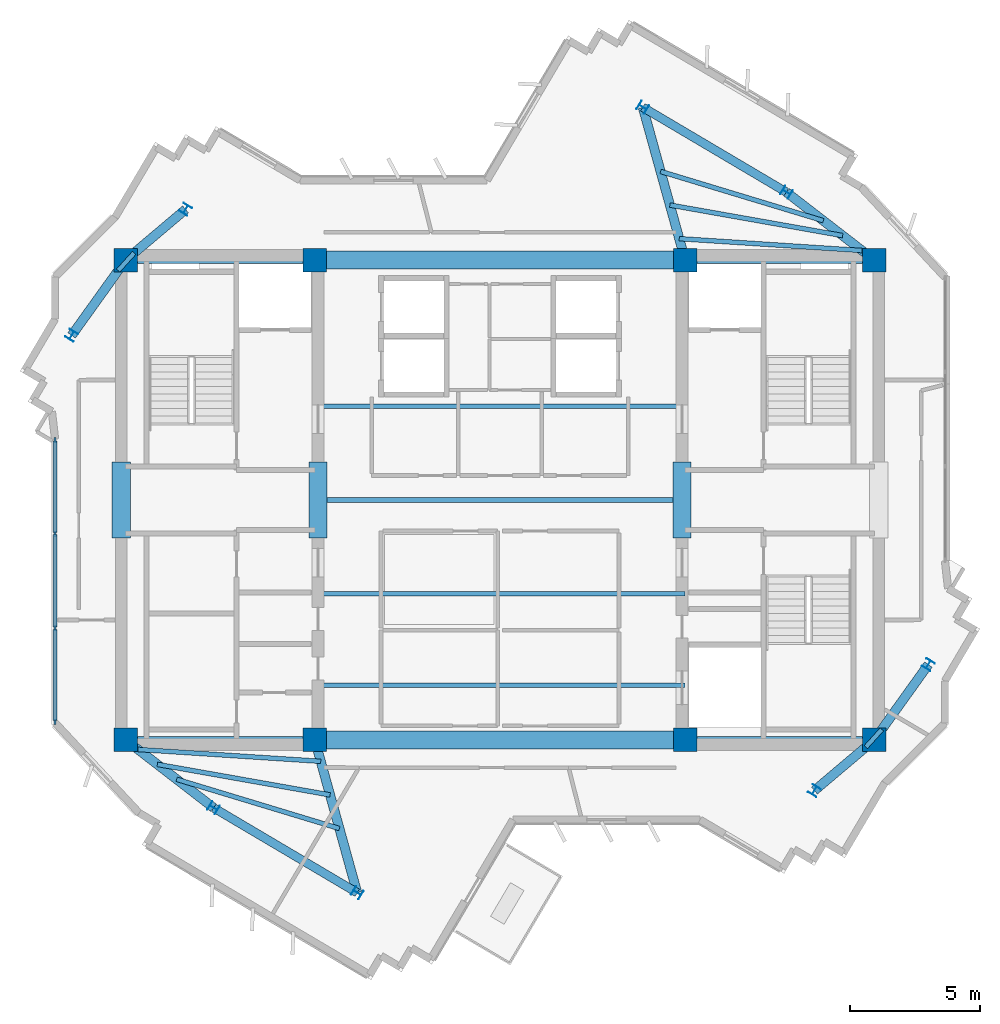
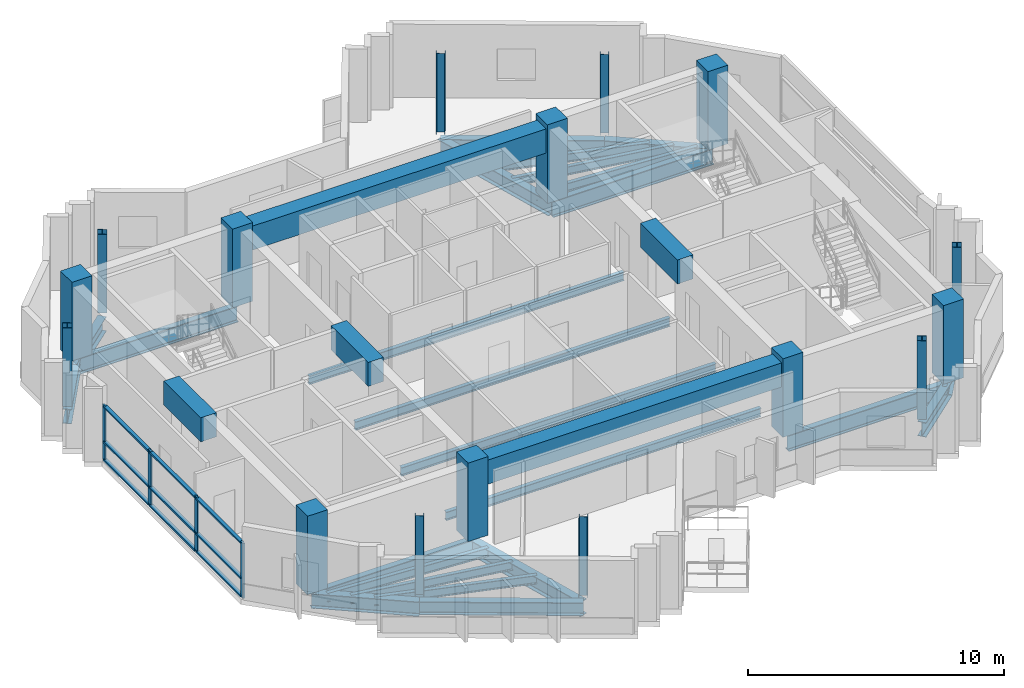
# One storey, part 1 of 10: 31 beams, 16 columns, 13 members, 1 element without a shape of its own.
"""IFC4 building model written with IfcOpenShell, lengths in metres."""

from ifc_helpers import new_model, si_unit, direction, frame, origin, origin_2d, place, context, subcontext, project, spatial, rectangle, i_section, extrude, source, transform, mapped, material, layer, layer_set, material_profile, profile_set, type_object, element, aggregate, save


model = new_model("IFC4")

# Units and contexts
model_context = context("Model", 3, precision=1e-05, world=origin(), true_north=direction((0.0, 1.0)))
body_context = subcontext(model_context, "Body", "Model", "MODEL_VIEW")
ifc_project = project(units=[si_unit("LENGTHUNIT", "METRE"), si_unit("AREAUNIT", "SQUARE_METRE"), si_unit("VOLUMEUNIT", "CUBIC_METRE"), si_unit("PLANEANGLEUNIT", "RADIAN"), si_unit("MASSUNIT", "GRAM", prefix="KILO")], contexts=[model_context])

# Site, building, storey
site_placement = place(None, origin())
site = spatial("IfcSite", under=ifc_project, at=site_placement, CompositionType="ELEMENT")
building_placement = place(site_placement, origin())
building = spatial("IfcBuilding", under=site, at=building_placement, Name="Zahravan Cultural Tower", CompositionType="ELEMENT")
storey_placement = place(building_placement, frame((0.0, 0.0, 349.800048828125)))
storey = spatial("IfcBuildingStorey", under=building, at=storey_placement, Name="L85", CompositionType="ELEMENT", Elevation=349.800048828125)

# Columns
ifc_material_1 = material(Name="Concrete C50/60", Category="concrete")
ifc_material_profile_1 = material_profile(ifc_material_1, rectangle(XDim=0.89990234375, YDim=0.89990234375, at=origin_2d()), Name="RC900X900")
ifc_profile_set_1 = profile_set([ifc_material_profile_1], Name="Concrete C50/60")
column_type_1 = type_object("IfcColumnType", Name="COL-RC900", PredefinedType="COLUMN", material=ifc_profile_set_1)
shared_shape_1 = source(origin(), body_context, "Body", "SweptSolid", [
    extrude(rectangle(XDim=0.89990234375, YDim=0.89990234375, at=origin_2d()), origin(), (0.0, 0.0, 1.0), 3.75),
])
for number, where, z_axis, x_axis, name in (
    (1, (21.64990234375, 17.800048828125, 0.0), (0.0, 0.0, 1.0), (1.0, 0.0, 0.0), "L85 Column CC-W1"),
    (2, (28.89990234375, 17.800048828125, 0.0), (0.0, 0.0, 1.0), (1.0, 0.0, 0.0), "L85 Column CC-W2"),
    (3, (21.64990234375, 36.199951171875, 0.0), (0.0, 0.0, 1.0), (1.0, 0.0, 0.0), "L85 Column CC-W3"),
    (4, (28.89990234375, 36.199951171875, 0.0), (0.0, 0.0, 1.0), (1.0, 0.0, 0.0), "L85 Column CC-W4"),
    (5, (43.10009765625, 17.800048828125, 0.0), (0.0, 0.0, 1.0), (1.0, 0.0, 0.0), "L85 Column CC-E1"),
    (6, (50.35009765625, 17.800048828125, 0.0), (0.0, 0.0, 1.0), (1.0, 0.0, 0.0), "L85 Column CC-E2"),
    (7, (43.10009765625, 36.199951171875, 0.0), (0.0, 0.0, 1.0), (1.0, 0.0, 0.0), "L85 Column CC-E3"),
    (8, (50.35009765625, 36.199951171875, 0.0), (0.0, 0.0, 1.0), (1.0, 0.0, 0.0), "L85 Column CC-E4"),
):
    element("IfcColumn", number, at=place(storey_placement, frame(where, z_axis=z_axis, x_axis=x_axis)), inside=storey, type_object=column_type_1, Name=name, PredefinedType="COLUMN", context=body_context, shape_type="MappedRepresentation", body=[
        mapped(shared_shape_1, transform((0.0, 0.0, 0.0), x_axis=(1.0, 0.0, 0.0), y_axis=(0.0, 1.0, 0.0), z_axis=(0.0, 0.0, 1.0), scale=1.0)),
    ])
ifc_material_2 = material(Name="Steel ASTM A992 Grade 50", Category="steel")
ifc_material_profile_2 = material_profile(ifc_material_2, i_section(OverallWidth=0.368896484375, OverallDepth=0.35595703125, WebThickness=0.01123046875, FlangeThickness=0.01806640625, FilletRadius=0.01806640625, at=origin_2d()), Name="W14X90")
ifc_profile_set_2 = profile_set([ifc_material_profile_2], Name="Steel ASTM A992 Grade 50")
column_type_2 = type_object("IfcColumnType", Name="COL-W14X90", PredefinedType="COLUMN", material=ifc_profile_set_2)
shared_shape_2 = source(origin(), body_context, "Body", "SweptSolid", [
    extrude(i_section(OverallWidth=0.368896484375, OverallDepth=0.35595703125, WebThickness=0.01123046875, FlangeThickness=0.01806640625, FilletRadius=0.01806640625, at=origin_2d()), origin(), (0.0, 0.0, 1.0), 3.75),
])
for number, where, z_axis, x_axis, name in (
    (9, (46.98388671875, 38.7998046875, 0.0), (0.0, 0.0, 1.0), (0.522498564716, 0.852640164354, 0.0), "L85 Column Z4C-E1"),
    (10, (41.474853515625, 42.058349609375, 0.0), (0.0, 0.0, 1.0), (0.522498564716, 0.852640164354, 0.0), "L85 Column Z4C-E2"),
    (11, (23.944580078125, 38.140625, 0.0), (0.0, 0.0, 1.0), (-0.852640164354, 0.522498564716, 0.0), "L85 Column Z4C-N1"),
    (12, (19.577392578125, 33.310791015625, 0.0), (0.0, 0.0, 1.0), (-0.852640164354, 0.522498564716, 0.0), "L85 Column Z4C-N2"),
    (13, (25.01611328125, 15.2001953125, 0.0), (0.0, 0.0, 1.0), (0.522498564716, 0.852640164354, 0.0), "L85 Column Z4C-W1"),
    (14, (30.525146484375, 11.941650390625, 0.0), (0.0, 0.0, 1.0), (0.522498564716, 0.852640164354, 0.0), "L85 Column Z4C-W2"),
    (15, (48.055419921875, 15.859375, 0.0), (0.0, 0.0, 1.0), (-0.852640164354, 0.522498564716, 0.0), "L85 Column Z4C-S1"),
    (16, (52.422607421875, 20.689208984375, 0.0), (0.0, 0.0, 1.0), (-0.852640164354, 0.522498564716, 0.0), "L85 Column Z4C-S2"),
):
    element("IfcColumn", number, at=place(storey_placement, frame(where, z_axis=z_axis, x_axis=x_axis)), inside=storey, type_object=column_type_2, Name=name, PredefinedType="COLUMN", context=body_context, shape_type="MappedRepresentation", body=[
        mapped(shared_shape_2, transform((0.0, 0.0, 0.0), x_axis=(1.0, 0.0, 0.0), y_axis=(0.0, 1.0, 0.0), z_axis=(0.0, 0.0, 1.0), scale=1.0)),
    ])

# Beams
ifc_material_profile_3 = material_profile(ifc_material_1, rectangle(XDim=0.699951171875, YDim=1.14990234375, at=origin_2d()), Name="RC700X1150")
ifc_profile_set_3 = profile_set([ifc_material_profile_3], Name="Concrete C50/60")
beam_type_1 = type_object("IfcBeamType", Name="BM-LN-RC700X1150", PredefinedType="LINTEL", material=ifc_profile_set_3)
shared_shape_3 = source(origin(), body_context, "Body", "SweptSolid", [
    extrude(rectangle(XDim=0.699951171875, YDim=1.14990234375, at=origin_2d()), origin(), (0.0, 0.0, 1.0), 14.2001953125),
])
for number, where, z_axis, x_axis, name in (
    (17, (28.89990234375, 17.800048828125, 2.925048828125), (1.0, 0.0, 0.0), (0.0, 1.0, 0.0), "L85 Beam LN-L85-S"),
    (18, (28.89990234375, 36.199951171875, 2.925048828125), (1.0, 0.0, 0.0), (0.0, 1.0, 0.0), "L85 Beam LN-L85-N"),
):
    element("IfcBeam", number, at=place(storey_placement, frame(where, z_axis=z_axis, x_axis=x_axis)), inside=storey, type_object=beam_type_1, Name=name, PredefinedType="LINTEL", context=body_context, shape_type="MappedRepresentation", body=[
        mapped(shared_shape_3, transform((0.0, 0.0, 0.0), x_axis=(1.0, 0.0, 0.0), y_axis=(0.0, 1.0, 0.0), z_axis=(0.0, 0.0, 1.0), scale=1.0)),
    ])
shared_shape_4 = source(origin(), body_context, "Body", "SweptSolid", [
    extrude(rectangle(XDim=0.699951171875, YDim=1.14990234375, at=origin_2d()), origin(), (0.0, 0.0, 1.0), 2.89990234375),
])
for number, where, z_axis, x_axis, name in (
    (19, (21.47509765625, 25.550048828125, 2.925048828125), (0.0, 1.0, 0.0), (-1.0, 0.0, 0.0), "L85 Beam LN-L85-PWW"),
    (20, (29.02490234375, 25.550048828125, 2.925048828125), (0.0, 1.0, 0.0), (-1.0, 0.0, 0.0), "L85 Beam LN-L85-PWE"),
    (21, (42.97509765625, 25.550048828125, 2.925048828125), (0.0, 1.0, 0.0), (-1.0, 0.0, 0.0), "L85 Beam LN-L85-PEW"),
):
    element("IfcBeam", number, at=place(storey_placement, frame(where, z_axis=z_axis, x_axis=x_axis)), inside=storey, type_object=beam_type_1, Name=name, PredefinedType="LINTEL", context=body_context, shape_type="MappedRepresentation", body=[
        mapped(shared_shape_4, transform((0.0, 0.0, 0.0), x_axis=(1.0, 0.0, 0.0), y_axis=(0.0, 1.0, 0.0), z_axis=(0.0, 0.0, 1.0), scale=1.0)),
    ])
ifc_material_profile_4 = material_profile(ifc_material_2, i_section(OverallWidth=0.26611328125, OverallDepth=0.780029296875, WebThickness=0.0166015625, FlangeThickness=0.030029296875, FilletRadius=0.01904296875, at=origin_2d()), Name="W30X148")
ifc_profile_set_4 = profile_set([ifc_material_profile_4], Name="Steel ASTM A992 Grade 50")
beam_type_2 = type_object("IfcBeamType", Name="BM-G-W30X148", PredefinedType="BEAM", material=ifc_profile_set_4)
shared_shape_5 = source(origin(), body_context, "Body", "SweptSolid", [
    extrude(i_section(OverallWidth=0.26611328125, OverallDepth=0.780029296875, WebThickness=0.0166015625, FlangeThickness=0.030029296875, FilletRadius=0.01904296875, at=origin_2d()), origin(), (0.0, 0.0, 1.0), 7.25),
])
for number, where, z_axis, x_axis, name in (
    (22, (21.64990234375, 17.800048828125, -0.64013671875), (1.0, 0.0, 0.0), (0.0, 1.0, 0.0), "L85 Beam BG-L85-01"),
    (23, (21.64990234375, 36.199951171875, -0.64013671875), (1.0, 0.0, 0.0), (0.0, 1.0, 0.0), "L85 Beam BG-L85-02"),
    (24, (43.10009765625, 17.800048828125, -0.64013671875), (1.0, 0.0, 0.0), (0.0, 1.0, 0.0), "L85 Beam BG-L85-04"),
    (25, (43.10009765625, 36.199951171875, -0.64013671875), (1.0, 0.0, 0.0), (0.0, 1.0, 0.0), "L85 Beam BG-L85-05"),
):
    element("IfcBeam", number, at=place(storey_placement, frame(where, z_axis=z_axis, x_axis=x_axis)), inside=storey, type_object=beam_type_2, Name=name, PredefinedType="BEAM", context=body_context, shape_type="MappedRepresentation", body=[
        mapped(shared_shape_5, transform((0.0, 0.0, 0.0), x_axis=(1.0, 0.0, 0.0), y_axis=(0.0, 1.0, 0.0), z_axis=(0.0, 0.0, 1.0), scale=1.0)),
    ])
ifc_material_profile_5 = material_profile(ifc_material_2, i_section(OverallWidth=0.35498046875, OverallDepth=0.696044921875, WebThickness=0.015380859375, FlangeThickness=0.025146484375, FilletRadius=0.01806640625, at=origin_2d()), Name="W27X146")
ifc_profile_set_5 = profile_set([ifc_material_profile_5], Name="Steel ASTM A992 Grade 50")
beam_type_3 = type_object("IfcBeamType", Name="BM-G-W27X146", PredefinedType="BEAM", material=ifc_profile_set_5)
shared_shape_6 = source(origin(), body_context, "Body", "SweptSolid", [
    extrude(i_section(OverallWidth=0.35498046875, OverallDepth=0.696044921875, WebThickness=0.015380859375, FlangeThickness=0.025146484375, FilletRadius=0.01806640625, at=origin_2d()), origin(), (0.0, 0.0, 1.0), 4.25341796875),
])
for number, where, z_axis, x_axis, name in (
    (26, (21.64990234375, 17.800048828125, -0.59814453125), (0.791433936253, -0.611254713313, 0.0), (0.611254713313, 0.791433936253, 0.0), "L85 Beam BG-L85-07"),
    (27, (50.35009765625, 36.199951171875, -0.59814453125), (-0.791433936253, 0.611254713313, 0.0), (-0.611254713313, -0.791433936253, 0.0), "L85 Beam BG-L85-11"),
):
    element("IfcBeam", number, at=place(storey_placement, frame(where, z_axis=z_axis, x_axis=x_axis)), inside=storey, type_object=beam_type_3, Name=name, PredefinedType="BEAM", context=body_context, shape_type="MappedRepresentation", body=[
        mapped(shared_shape_6, transform((0.0, 0.0, 0.0), x_axis=(1.0, 0.0, 0.0), y_axis=(0.0, 1.0, 0.0), z_axis=(0.0, 0.0, 1.0), scale=1.0)),
    ])
shared_shape_7 = source(origin(), body_context, "Body", "SweptSolid", [
    extrude(i_section(OverallWidth=0.35498046875, OverallDepth=0.696044921875, WebThickness=0.015380859375, FlangeThickness=0.025146484375, FilletRadius=0.01806640625, at=origin_2d()), origin(), (0.0, 0.0, 1.0), 6.07958984375),
])
for number, where, z_axis, x_axis, name in (
    (28, (28.89990234375, 17.800048828125, -0.59814453125), (0.267324894686, -0.963606455292, 0.0), (0.963606455292, 0.267324894686, 0.0), "L85 Beam BG-L85-08"),
    (29, (43.10009765625, 36.199951171875, -0.59814453125), (-0.267324894686, 0.963606455292, 0.0), (-0.963606455292, -0.267324894686, 0.0), "L85 Beam BG-L85-12"),
):
    element("IfcBeam", number, at=place(storey_placement, frame(where, z_axis=z_axis, x_axis=x_axis)), inside=storey, type_object=beam_type_3, Name=name, PredefinedType="BEAM", context=body_context, shape_type="MappedRepresentation", body=[
        mapped(shared_shape_7, transform((0.0, 0.0, 0.0), x_axis=(1.0, 0.0, 0.0), y_axis=(0.0, 1.0, 0.0), z_axis=(0.0, 0.0, 1.0), scale=1.0)),
    ])
shared_shape_8 = source(origin(), body_context, "Body", "SweptSolid", [
    extrude(i_section(OverallWidth=0.35498046875, OverallDepth=0.696044921875, WebThickness=0.015380859375, FlangeThickness=0.025146484375, FilletRadius=0.01806640625, at=origin_2d()), origin(), (0.0, 0.0, 1.0), 3.00537109375),
])
for number, where, z_axis, x_axis, name in (
    (30, (50.35009765625, 17.800048828125, -0.59814453125), (-0.763546494847, -0.645752855361, 0.0), (0.645752855361, -0.763546494847, 0.0), "L85 Beam BG-L85-09"),
    (31, (21.64990234375, 36.199951171875, -0.59814453125), (0.763546494847, 0.645752855361, 0.0), (-0.645752855361, 0.763546494847, 0.0), "L85 Beam BG-L85-13"),
):
    element("IfcBeam", number, at=place(storey_placement, frame(where, z_axis=z_axis, x_axis=x_axis)), inside=storey, type_object=beam_type_3, Name=name, PredefinedType="BEAM", context=body_context, shape_type="MappedRepresentation", body=[
        mapped(shared_shape_8, transform((0.0, 0.0, 0.0), x_axis=(1.0, 0.0, 0.0), y_axis=(0.0, 1.0, 0.0), z_axis=(0.0, 0.0, 1.0), scale=1.0)),
    ])
shared_shape_9 = source(origin(), body_context, "Body", "SweptSolid", [
    extrude(i_section(OverallWidth=0.35498046875, OverallDepth=0.696044921875, WebThickness=0.015380859375, FlangeThickness=0.025146484375, FilletRadius=0.01806640625, at=origin_2d()), origin(), (0.0, 0.0, 1.0), 3.5556640625),
])
for number, where, z_axis, x_axis, name in (
    (32, (50.35009765625, 17.800048828125, -0.59814453125), (0.58288028137, 0.812558045674, 0.0), (-0.812558045674, 0.58288028137, 0.0), "L85 Beam BG-L85-10"),
    (33, (21.64990234375, 36.199951171875, -0.59814453125), (-0.58288028137, -0.812558045674, 0.0), (0.812558045674, -0.58288028137, 0.0), "L85 Beam BG-L85-14"),
):
    element("IfcBeam", number, at=place(storey_placement, frame(where, z_axis=z_axis, x_axis=x_axis)), inside=storey, type_object=beam_type_3, Name=name, PredefinedType="BEAM", context=body_context, shape_type="MappedRepresentation", body=[
        mapped(shared_shape_9, transform((0.0, 0.0, 0.0), x_axis=(1.0, 0.0, 0.0), y_axis=(0.0, 1.0, 0.0), z_axis=(0.0, 0.0, 1.0), scale=1.0)),
    ])
ifc_material_profile_6 = material_profile(ifc_material_2, i_section(OverallWidth=0.326904296875, OverallDepth=0.6220703125, WebThickness=0.015380859375, FlangeThickness=0.0244140625, FilletRadius=0.014892578125, at=origin_2d()), Name="W24X131")
ifc_profile_set_6 = profile_set([ifc_material_profile_6], Name="Steel ASTM A992 Grade 50")
beam_type_4 = type_object("IfcBeamType", Name="BM-SP-W24X131", PredefinedType="SPANDREL", material=ifc_profile_set_6)
shared_shape_10 = source(origin(), body_context, "Body", "SweptSolid", [
    extrude(i_section(OverallWidth=0.326904296875, OverallDepth=0.6220703125, WebThickness=0.015380859375, FlangeThickness=0.0244140625, FilletRadius=0.014892578125, at=origin_2d()), origin(), (0.0, 0.0, 1.0), 6.400634765625),
])
for number, where, z_axis, x_axis, name in (
    (34, (25.01611328125, 15.2001953125, -0.56103515625), (0.860706991833, -0.509100652337, 0.0), (0.509100652337, 0.860706991833, 0.0), "L85 Beam SP-L85-15"),
    (35, (46.98388671875, 38.7998046875, -0.56103515625), (-0.860706991833, 0.509100652337, 0.0), (-0.509100652337, -0.860706991833, 0.0), "L85 Beam SP-L85-17"),
):
    element("IfcBeam", number, at=place(storey_placement, frame(where, z_axis=z_axis, x_axis=x_axis)), inside=storey, type_object=beam_type_4, Name=name, PredefinedType="SPANDREL", context=body_context, shape_type="MappedRepresentation", body=[
        mapped(shared_shape_10, transform((0.0, 0.0, 0.0), x_axis=(1.0, 0.0, 0.0), y_axis=(0.0, 1.0, 0.0), z_axis=(0.0, 0.0, 1.0), scale=1.0)),
    ])
ifc_material_profile_7 = material_profile(ifc_material_2, i_section(OverallWidth=0.177978515625, OverallDepth=0.406005859375, WebThickness=0.0078125, FlangeThickness=0.0126953125, FilletRadius=0.011962890625, at=origin_2d()), Name="W16X40")
ifc_profile_set_7 = profile_set([ifc_material_profile_7], Name="Steel ASTM A992 Grade 50")
beam_type_5 = type_object("IfcBeamType", Name="BM-J-W16X40", PredefinedType="JOIST", material=ifc_profile_set_7)
shared_shape_11 = source(origin(), body_context, "Body", "SweptSolid", [
    extrude(i_section(OverallWidth=0.177978515625, OverallDepth=0.406005859375, WebThickness=0.0078125, FlangeThickness=0.0126953125, FilletRadius=0.011962890625, at=origin_2d()), origin(), (0.0, 0.0, 1.0), 14.2001953125),
])
for number, where, z_axis, x_axis, name in (
    (36, (28.89990234375, 19.89990234375, -0.453125), (1.0, 0.0, 0.0), (0.0, 1.0, 0.0), "L85 Beam BJ-L85-20"),
    (37, (28.89990234375, 23.39990234375, -0.453125), (1.0, 0.0, 0.0), (0.0, 1.0, 0.0), "L85 Beam BJ-L85-21"),
    (38, (28.89990234375, 27.0, -0.453125), (1.0, 0.0, 0.0), (0.0, 1.0, 0.0), "L85 Beam BJ-L85-22"),
    (39, (28.89990234375, 30.60009765625, -0.453125), (1.0, 0.0, 0.0), (0.0, 1.0, 0.0), "L85 Beam BJ-L85-23"),
):
    element("IfcBeam", number, at=place(storey_placement, frame(where, z_axis=z_axis, x_axis=x_axis)), inside=storey, type_object=beam_type_5, Name=name, PredefinedType="JOIST", context=body_context, shape_type="MappedRepresentation", body=[
        mapped(shared_shape_11, transform((0.0, 0.0, 0.0), x_axis=(1.0, 0.0, 0.0), y_axis=(0.0, 1.0, 0.0), z_axis=(0.0, 0.0, 1.0), scale=1.0)),
    ])
shared_shape_12 = source(origin(), body_context, "Body", "SweptSolid", [
    extrude(i_section(OverallWidth=0.177978515625, OverallDepth=0.406005859375, WebThickness=0.0078125, FlangeThickness=0.0126953125, FilletRadius=0.011962890625, at=origin_2d()), origin(), (0.0, 0.0, 1.0), 7.02099609375),
])
for number, where, z_axis, x_axis, name in (
    (40, (22.121337890625, 17.43603515625, -0.453125), (0.99788584579, -0.064991066863, 0.0), (0.064991066863, 0.99788584579, 0.0), "L85 Beam BJ-L85-24"),
    (41, (49.878662109375, 36.56396484375, -0.453125), (-0.99788584579, 0.064991066863, 0.0), (-0.064991066863, -0.99788584579, 0.0), "L85 Beam BJ-L85-40"),
):
    element("IfcBeam", number, at=place(storey_placement, frame(where, z_axis=z_axis, x_axis=x_axis)), inside=storey, type_object=beam_type_5, Name=name, PredefinedType="JOIST", context=body_context, shape_type="MappedRepresentation", body=[
        mapped(shared_shape_12, transform((0.0, 0.0, 0.0), x_axis=(1.0, 0.0, 0.0), y_axis=(0.0, 1.0, 0.0), z_axis=(0.0, 0.0, 1.0), scale=1.0)),
    ])
shared_shape_13 = source(origin(), body_context, "Body", "SweptSolid", [
    extrude(i_section(OverallWidth=0.177978515625, OverallDepth=0.406005859375, WebThickness=0.0078125, FlangeThickness=0.0126953125, FilletRadius=0.011962890625, at=origin_2d()), origin(), (0.0, 0.0, 1.0), 6.726318359375),
])
for number, where, z_axis, x_axis, name in (
    (42, (22.86181640625, 16.864013671875, -0.453125), (0.98467447748, -0.17440233198, 0.0), (0.17440233198, 0.98467447748, 0.0), "L85 Beam BJ-L85-26"),
    (43, (49.13818359375, 37.135986328125, -0.453125), (-0.98467447748, 0.17440233198, 0.0), (-0.17440233198, -0.98467447748, 0.0), "L85 Beam BJ-L85-42"),
):
    element("IfcBeam", number, at=place(storey_placement, frame(where, z_axis=z_axis, x_axis=x_axis)), inside=storey, type_object=beam_type_5, Name=name, PredefinedType="JOIST", context=body_context, shape_type="MappedRepresentation", body=[
        mapped(shared_shape_13, transform((0.0, 0.0, 0.0), x_axis=(1.0, 0.0, 0.0), y_axis=(0.0, 1.0, 0.0), z_axis=(0.0, 0.0, 1.0), scale=1.0)),
    ])
shared_shape_14 = source(origin(), body_context, "Body", "SweptSolid", [
    extrude(i_section(OverallWidth=0.177978515625, OverallDepth=0.406005859375, WebThickness=0.0078125, FlangeThickness=0.0126953125, FilletRadius=0.011962890625, at=origin_2d()), origin(), (0.0, 0.0, 1.0), 6.520263671875),
])
for number, where, z_axis, x_axis, name in (
    (44, (23.602294921875, 16.292236328125, -0.453125), (0.957060297679, -0.289888921151, 0.0), (0.289888921151, 0.957060297679, 0.0), "L85 Beam BJ-L85-28"),
    (45, (48.397705078125, 37.707763671875, -0.453125), (-0.957060297679, 0.289888921151, 0.0), (-0.289888921151, -0.957060297679, 0.0), "L85 Beam BJ-L85-44"),
):
    element("IfcBeam", number, at=place(storey_placement, frame(where, z_axis=z_axis, x_axis=x_axis)), inside=storey, type_object=beam_type_5, Name=name, PredefinedType="JOIST", context=body_context, shape_type="MappedRepresentation", body=[
        mapped(shared_shape_14, transform((0.0, 0.0, 0.0), x_axis=(1.0, 0.0, 0.0), y_axis=(0.0, 1.0, 0.0), z_axis=(0.0, 0.0, 1.0), scale=1.0)),
    ])
shared_shape_15 = source(origin(), body_context, "Body", "SweptSolid", [
    extrude(i_section(OverallWidth=0.177978515625, OverallDepth=0.406005859375, WebThickness=0.0078125, FlangeThickness=0.0126953125, FilletRadius=0.011962890625, at=origin_2d()), origin(), (0.0, 0.0, 1.0), 0.91162109375),
])
for number, where, z_axis, x_axis, name in (
    (46, (50.02880859375, 17.5283203125, -0.453125), (0.670590689022, 0.741827559341, 0.0), (-0.741827559341, 0.670590689022, 0.0), "L85 Beam BJ-L85-32"),
    (47, (21.97119140625, 36.4716796875, -0.453125), (-0.670590689022, -0.741827559341, 0.0), (0.741827559341, -0.670590689022, 0.0), "L85 Beam BJ-L85-48"),
):
    element("IfcBeam", number, at=place(storey_placement, frame(where, z_axis=z_axis, x_axis=x_axis)), inside=storey, type_object=beam_type_5, Name=name, PredefinedType="JOIST", context=body_context, shape_type="MappedRepresentation", body=[
        mapped(shared_shape_15, transform((0.0, 0.0, 0.0), x_axis=(1.0, 0.0, 0.0), y_axis=(0.0, 1.0, 0.0), z_axis=(0.0, 0.0, 1.0), scale=1.0)),
    ])

# Curtain wall, members
ifc_material_3 = material(Name="Anodised bronze-aluminium mullion", Category="aluminium")
ifc_layer = layer(ifc_material_3, 0.219970703125)
ifc_layer_set = layer_set([ifc_layer], Name="Anodised bronze-aluminium mullion")
curtain_wall_type = type_object("IfcCurtainWallType", Name="CW-SYS-1", PredefinedType="USERDEFINED", material=ifc_layer_set)
curtain_wall_placement = place(storey_placement, origin())
curtain_wall = element("IfcCurtainWall", 48, at=curtain_wall_placement, inside=storey, type_object=curtain_wall_type, Name="L85 Recessed Curtain Wall CW-1.2", ObjectType="RECESSED GLAZING", PredefinedType="USERDEFINED")
ifc_material_profile_8 = material_profile(ifc_material_3, rectangle(XDim=0.080078125, YDim=0.219970703125, at=origin_2d()), Name="AL-M80X220")
ifc_profile_set_8 = profile_set([ifc_material_profile_8], Name="Anodised bronze-aluminium mullion")
member_type_1 = type_object("IfcMemberType", Name="CWM-CW-1", PredefinedType="MULLION", material=ifc_profile_set_8)
shared_shape_16 = source(origin(), body_context, "Body", "SweptSolid", [
    extrude(rectangle(XDim=0.080078125, YDim=0.219970703125, at=origin_2d()), origin(), (0.0, 0.0, 1.0), 2.619873046875),
])
member_1_placement = place(storey_placement, frame((18.93994140625, 18.498046875, 0.0), z_axis=(0.0, 0.0, 1.0), x_axis=(-1.0, 0.0, 0.0)))
member_1 = element("IfcMember", 49, at=member_1_placement, type_object=member_type_1, Name="CW-1 mullion 1", PredefinedType="MULLION", context=body_context, shape_type="MappedRepresentation", body=[
    mapped(shared_shape_16, transform((0.0, 0.0, 0.0), x_axis=(1.0, 0.0, 0.0), y_axis=(0.0, 1.0, 0.0), z_axis=(0.0, 0.0, 1.0), scale=1.0)),
])
member_2_placement = place(storey_placement, frame((18.93994140625, 22.083984375, 0.0), z_axis=(0.0, 0.0, 1.0), x_axis=(-1.0, 0.0, 0.0)))
member_2 = element("IfcMember", 50, at=member_2_placement, type_object=member_type_1, Name="CW-1 mullion 2", PredefinedType="MULLION", context=body_context, shape_type="MappedRepresentation", body=[
    mapped(shared_shape_16, transform((0.0, 0.0, 0.0), x_axis=(1.0, 0.0, 0.0), y_axis=(0.0, 1.0, 0.0), z_axis=(0.0, 0.0, 1.0), scale=1.0)),
])
member_3_placement = place(storey_placement, frame((18.93994140625, 25.709716796875, 0.0), z_axis=(0.0, 0.0, 1.0), x_axis=(-1.0, 0.0, 0.0)))
member_3 = element("IfcMember", 51, at=member_3_placement, type_object=member_type_1, Name="CW-1 mullion 3", PredefinedType="MULLION", context=body_context, shape_type="MappedRepresentation", body=[
    mapped(shared_shape_16, transform((0.0, 0.0, 0.0), x_axis=(1.0, 0.0, 0.0), y_axis=(0.0, 1.0, 0.0), z_axis=(0.0, 0.0, 1.0), scale=1.0)),
])
member_4_placement = place(storey_placement, frame((18.93994140625, 29.295654296875, 0.0), z_axis=(0.0, 0.0, 1.0), x_axis=(-1.0, 0.0, 0.0)))
member_4 = element("IfcMember", 52, at=member_4_placement, type_object=member_type_1, Name="CW-1 mullion 4", PredefinedType="MULLION", context=body_context, shape_type="MappedRepresentation", body=[
    mapped(shared_shape_16, transform((0.0, 0.0, 0.0), x_axis=(1.0, 0.0, 0.0), y_axis=(0.0, 1.0, 0.0), z_axis=(0.0, 0.0, 1.0), scale=1.0)),
])
ifc_material_profile_9 = material_profile(ifc_material_3, rectangle(XDim=0.159912109375, YDim=0.080078125, at=origin_2d()), Name="AL-T80X160")
ifc_profile_set_9 = profile_set([ifc_material_profile_9], Name="Anodised bronze-aluminium mullion")
member_type_2 = type_object("IfcMemberType", Name="CWT-CW-1", PredefinedType="USERDEFINED", material=ifc_profile_set_9)
shared_shape_17 = source(origin(), body_context, "Body", "SweptSolid", [
    extrude(rectangle(XDim=0.159912109375, YDim=0.080078125, at=origin_2d()), origin(), (0.0, 0.0, 1.0), 3.505859375),
])
member_5_placement = place(storey_placement, frame((18.93994140625, 18.5380859375, 0.0400390625), z_axis=(0.0, 1.0, 0.0), x_axis=(-1.0, 0.0, 0.0)))
member_5 = element("IfcMember", 53, at=member_5_placement, type_object=member_type_2, Name="CW-1 transom 1.1", ObjectType="TRANSOM", PredefinedType="USERDEFINED", context=body_context, shape_type="MappedRepresentation", body=[
    mapped(shared_shape_17, transform((0.0, 0.0, 0.0), x_axis=(1.0, 0.0, 0.0), y_axis=(0.0, 1.0, 0.0), z_axis=(0.0, 0.0, 1.0), scale=1.0)),
])
member_6_placement = place(storey_placement, frame((18.93994140625, 18.5380859375, 0.89990234375), z_axis=(0.0, 1.0, 0.0), x_axis=(-1.0, 0.0, 0.0)))
member_6 = element("IfcMember", 54, at=member_6_placement, type_object=member_type_2, Name="CW-1 transom 1.2", ObjectType="TRANSOM", PredefinedType="USERDEFINED", context=body_context, shape_type="MappedRepresentation", body=[
    mapped(shared_shape_17, transform((0.0, 0.0, 0.0), x_axis=(1.0, 0.0, 0.0), y_axis=(0.0, 1.0, 0.0), z_axis=(0.0, 0.0, 1.0), scale=1.0)),
])
member_7_placement = place(storey_placement, frame((18.93994140625, 18.5380859375, 2.579833984375), z_axis=(0.0, 1.0, 0.0), x_axis=(-1.0, 0.0, 0.0)))
member_7 = element("IfcMember", 55, at=member_7_placement, type_object=member_type_2, Name="CW-1 transom 1.3", ObjectType="TRANSOM", PredefinedType="USERDEFINED", context=body_context, shape_type="MappedRepresentation", body=[
    mapped(shared_shape_17, transform((0.0, 0.0, 0.0), x_axis=(1.0, 0.0, 0.0), y_axis=(0.0, 1.0, 0.0), z_axis=(0.0, 0.0, 1.0), scale=1.0)),
])
member_8_placement = place(storey_placement, frame((18.93994140625, 25.749755859375, 0.0400390625), z_axis=(0.0, 1.0, 0.0), x_axis=(-1.0, 0.0, 0.0)))
member_8 = element("IfcMember", 56, at=member_8_placement, type_object=member_type_2, Name="CW-1 transom 3.1", ObjectType="TRANSOM", PredefinedType="USERDEFINED", context=body_context, shape_type="MappedRepresentation", body=[
    mapped(shared_shape_17, transform((0.0, 0.0, 0.0), x_axis=(1.0, 0.0, 0.0), y_axis=(0.0, 1.0, 0.0), z_axis=(0.0, 0.0, 1.0), scale=1.0)),
])
member_9_placement = place(storey_placement, frame((18.93994140625, 25.749755859375, 0.89990234375), z_axis=(0.0, 1.0, 0.0), x_axis=(-1.0, 0.0, 0.0)))
member_9 = element("IfcMember", 57, at=member_9_placement, type_object=member_type_2, Name="CW-1 transom 3.2", ObjectType="TRANSOM", PredefinedType="USERDEFINED", context=body_context, shape_type="MappedRepresentation", body=[
    mapped(shared_shape_17, transform((0.0, 0.0, 0.0), x_axis=(1.0, 0.0, 0.0), y_axis=(0.0, 1.0, 0.0), z_axis=(0.0, 0.0, 1.0), scale=1.0)),
])
member_10_placement = place(storey_placement, frame((18.93994140625, 25.749755859375, 2.579833984375), z_axis=(0.0, 1.0, 0.0), x_axis=(-1.0, 0.0, 0.0)))
member_10 = element("IfcMember", 58, at=member_10_placement, type_object=member_type_2, Name="CW-1 transom 3.3", ObjectType="TRANSOM", PredefinedType="USERDEFINED", context=body_context, shape_type="MappedRepresentation", body=[
    mapped(shared_shape_17, transform((0.0, 0.0, 0.0), x_axis=(1.0, 0.0, 0.0), y_axis=(0.0, 1.0, 0.0), z_axis=(0.0, 0.0, 1.0), scale=1.0)),
])
shared_shape_18 = source(origin(), body_context, "Body", "SweptSolid", [
    extrude(rectangle(XDim=0.159912109375, YDim=0.080078125, at=origin_2d()), origin(), (0.0, 0.0, 1.0), 3.5458984375),
])
member_11_placement = place(storey_placement, frame((18.93994140625, 22.123779296875, 0.0400390625), z_axis=(0.0, 1.0, 0.0), x_axis=(-1.0, 0.0, 0.0)))
member_11 = element("IfcMember", 59, at=member_11_placement, type_object=member_type_2, Name="CW-1 transom 2.1", ObjectType="TRANSOM", PredefinedType="USERDEFINED", context=body_context, shape_type="MappedRepresentation", body=[
    mapped(shared_shape_18, transform((0.0, 0.0, 0.0), x_axis=(1.0, 0.0, 0.0), y_axis=(0.0, 1.0, 0.0), z_axis=(0.0, 0.0, 1.0), scale=1.0)),
])
member_12_placement = place(storey_placement, frame((18.93994140625, 22.123779296875, 0.89990234375), z_axis=(0.0, 1.0, 0.0), x_axis=(-1.0, 0.0, 0.0)))
member_12 = element("IfcMember", 60, at=member_12_placement, type_object=member_type_2, Name="CW-1 transom 2.2", ObjectType="TRANSOM", PredefinedType="USERDEFINED", context=body_context, shape_type="MappedRepresentation", body=[
    mapped(shared_shape_18, transform((0.0, 0.0, 0.0), x_axis=(1.0, 0.0, 0.0), y_axis=(0.0, 1.0, 0.0), z_axis=(0.0, 0.0, 1.0), scale=1.0)),
])
member_13_placement = place(storey_placement, frame((18.93994140625, 22.123779296875, 2.579833984375), z_axis=(0.0, 1.0, 0.0), x_axis=(-1.0, 0.0, 0.0)))
member_13 = element("IfcMember", 61, at=member_13_placement, type_object=member_type_2, Name="CW-1 transom 2.3", ObjectType="TRANSOM", PredefinedType="USERDEFINED", context=body_context, shape_type="MappedRepresentation", body=[
    mapped(shared_shape_18, transform((0.0, 0.0, 0.0), x_axis=(1.0, 0.0, 0.0), y_axis=(0.0, 1.0, 0.0), z_axis=(0.0, 0.0, 1.0), scale=1.0)),
])
aggregate(curtain_wall, [member_1, member_2, member_3, member_4, member_5, member_6, member_7, member_11, member_12, member_13, member_8, member_9, member_10])

save(model, "model.ifc")
